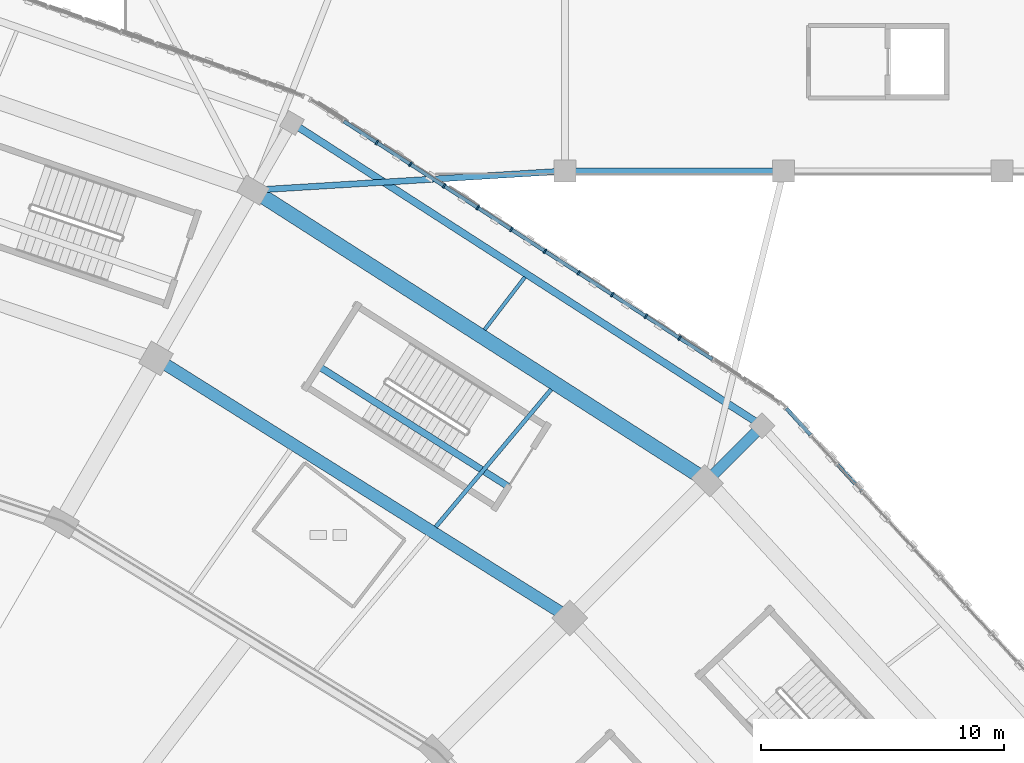
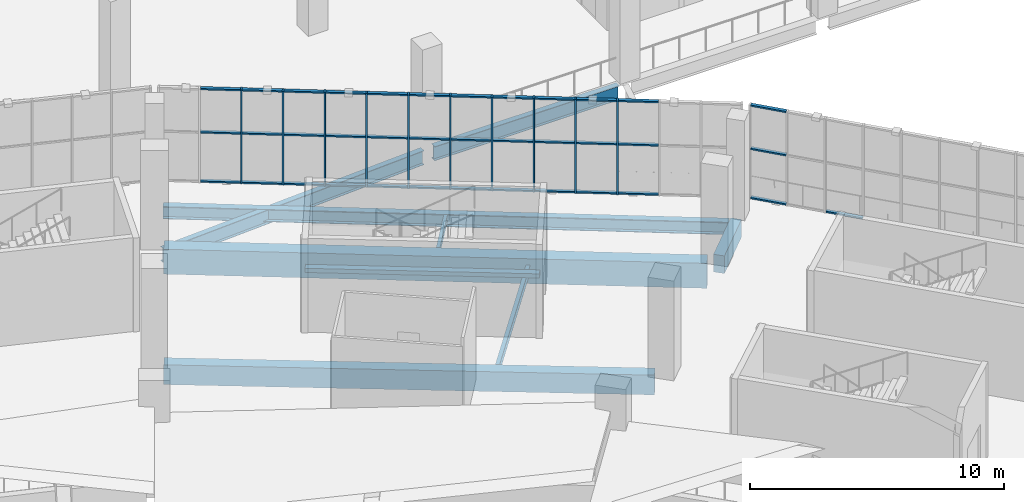
# One storey, part 62 of 183: 47 members, 9 beams, 2 elements without a shape of their own.
"""IFC4 building model written with IfcOpenShell, lengths in metres."""

from ifc_helpers import new_model, si_unit, direction, frame, origin, origin_2d, place, context, subcontext, project, spatial, rectangle, i_section, extrude, material, material_profile, profile_set, type_object, element, aggregate, save


model = new_model("IFC4")

# Units and contexts
model_context = context("Model", 3, precision=1e-05, world=origin(), true_north=direction((0.0, 1.0)))
body_context = subcontext(model_context, "Body", "Model", "MODEL_VIEW")
ifc_project = project(units=[si_unit("LENGTHUNIT", "METRE"), si_unit("AREAUNIT", "SQUARE_METRE"), si_unit("VOLUMEUNIT", "CUBIC_METRE"), si_unit("PLANEANGLEUNIT", "RADIAN"), si_unit("MASSUNIT", "GRAM", prefix="KILO")], contexts=[model_context])

# Site, building, storey
site_placement = place(None, origin())
site = spatial("IfcSite", under=ifc_project, at=site_placement, CompositionType="ELEMENT")
building_placement = place(site_placement, origin())
building = spatial("IfcBuilding", under=site, at=building_placement, Name="Zevraka Park Crest Stadium", CompositionType="ELEMENT")
storey_placement = place(building_placement, frame((0.0, 0.0, 5.39990234375)))
storey = spatial("IfcBuildingStorey", under=building, at=storey_placement, Name="L01", CompositionType="ELEMENT", Elevation=5.39990234375)

# Beams
ifc_material_1 = material(Name="Concrete C40/50", Category="concrete")
ifc_material_profile_1 = material_profile(ifc_material_1, rectangle(XDim=0.449951171875, YDim=0.85009765625, at=origin_2d()), Name="RC 850x450")
ifc_profile_set_1 = profile_set([ifc_material_profile_1], Name="Concrete C40/50")
beam_type_1 = type_object("IfcBeamType", Name="BG03", PredefinedType="BEAM", material=ifc_profile_set_1)
beam_1_placement = place(storey_placement, frame((176.06396484375, 145.45703125, -0.434814453125), z_axis=(0.706965918589, 0.707247615728, 0.0), x_axis=(-0.707247615728, 0.706965918589, 0.0)))
element("IfcBeam", 1, at=beam_1_placement, inside=storey, type_object=beam_type_1, Name="Radial Girder BG03 L01-DE-03", PredefinedType="BEAM", context=body_context, shape_type="SweptSolid", body=[
    extrude(rectangle(XDim=0.449951171875, YDim=0.85009765625, at=origin_2d()), origin(), (0.0, 0.0, 1.0), 2.60009765625),
])
ifc_material_2 = material(Name="Steel S355", Category="steel")
ifc_material_profile_2 = material_profile(ifc_material_2, i_section(OverallWidth=0.253662109375, OverallDepth=0.68359375, WebThickness=0.012451171875, FlangeThickness=0.01904296875, at=origin_2d()), Name="UKB 686x254x140")
ifc_profile_set_2 = profile_set([ifc_material_profile_2], Name="Steel S355")
beam_type_2 = type_object("IfcBeamType", Name="BG05", PredefinedType="BEAM", material=ifc_profile_set_2)
beam_2_placement = place(storey_placement, frame((170.300048828125, 158.0, -0.649658203125), z_axis=(1.0, 0.0, 0.0), x_axis=(0.0, 1.0, 0.0)))
element("IfcBeam", 2, at=beam_2_placement, inside=storey, type_object=beam_type_2, Name="Wing Girder BG05 L01-1920/T", PredefinedType="BEAM", context=body_context, shape_type="SweptSolid", body=[
    extrude(i_section(OverallWidth=0.253662109375, OverallDepth=0.68359375, WebThickness=0.012451171875, FlangeThickness=0.01904296875, at=origin_2d()), origin(), (0.0, 0.0, 1.0), 8.39990234375),
])
beam_3_placement = place(storey_placement, frame((169.800048828125, 157.988037109375, -0.649658203125), z_axis=(-0.998122867072, -0.061243303531, 0.0), x_axis=(0.061243303531, -0.998122867072, 0.0)))
element("IfcBeam", 3, at=beam_3_placement, inside=storey, type_object=beam_type_2, Name="Wing Link Girder BG05 L01-19/T", PredefinedType="BEAM", context=body_context, shape_type="SweptSolid", body=[
    extrude(i_section(OverallWidth=0.253662109375, OverallDepth=0.68359375, WebThickness=0.012451171875, FlangeThickness=0.01904296875, at=origin_2d()), origin(), (0.0, 0.0, 1.0), 12.294189453125),
])

# Curtain wall, members
ifc_material_3 = material(Name="Anodised architectural aluminium and laminated safety glass", Category="aluminium")
curtain_wall_type = type_object("IfcCurtainWallType", Name="CW03", PredefinedType="NOTDEFINED", material=ifc_material_3)
curtain_wall_1_placement = place(storey_placement, origin())
curtain_wall_1 = element("IfcCurtainWall", 4, at=curtain_wall_1_placement, inside=storey, type_object=curtain_wall_type, Name="Unitised Ring Curtain Wall CW03 L01-03", PredefinedType="NOTDEFINED")
ifc_material_4 = material(Name="Anodised architectural aluminium", Category="aluminium")
ifc_material_profile_3 = material_profile(ifc_material_4, rectangle(XDim=0.199951171875, YDim=0.070068359375, at=origin_2d()), Name="ALU MULLION 200x70")
ifc_profile_set_3 = profile_set([ifc_material_profile_3], Name="Anodised architectural aluminium")
member_type_1 = type_object("IfcMemberType", Name="CM03", PredefinedType="MULLION", material=ifc_profile_set_3)
member_1_placement = place(storey_placement, frame((174.716064453125, 151.12109375, 0.0), z_axis=(0.0, 0.0, 1.0), x_axis=(-0.542570628938, -0.840010186018, 0.0)))
member_1 = element("IfcMember", 5, at=member_1_placement, type_object=member_type_1, Name="CW03 mullion 4", PredefinedType="MULLION", context=body_context, shape_type="SweptSolid", body=[
    extrude(rectangle(XDim=0.199951171875, YDim=0.070068359375, at=origin_2d()), origin(), (0.0, 0.0, 1.0), 4.52001953125),
])
member_2_placement = place(storey_placement, frame((173.330322265625, 152.01611328125, 0.0), z_axis=(0.0, 0.0, 1.0), x_axis=(-0.542570628938, -0.840010186018, 0.0)))
member_2 = element("IfcMember", 6, at=member_2_placement, type_object=member_type_1, Name="CW03 mullion 5", PredefinedType="MULLION", context=body_context, shape_type="SweptSolid", body=[
    extrude(rectangle(XDim=0.199951171875, YDim=0.070068359375, at=origin_2d()), origin(), (0.0, 0.0, 1.0), 4.52001953125),
])
member_3_placement = place(storey_placement, frame((171.94482421875, 152.910888671875, 0.0), z_axis=(0.0, 0.0, 1.0), x_axis=(-0.542570628938, -0.840010186018, 0.0)))
member_3 = element("IfcMember", 7, at=member_3_placement, type_object=member_type_1, Name="CW03 mullion 6", PredefinedType="MULLION", context=body_context, shape_type="SweptSolid", body=[
    extrude(rectangle(XDim=0.199951171875, YDim=0.070068359375, at=origin_2d()), origin(), (0.0, 0.0, 1.0), 4.52001953125),
])
member_4_placement = place(storey_placement, frame((170.55908203125, 153.805908203125, 0.0), z_axis=(0.0, 0.0, 1.0), x_axis=(-0.542570628938, -0.840010186018, 0.0)))
member_4 = element("IfcMember", 8, at=member_4_placement, type_object=member_type_1, Name="CW03 mullion 7", PredefinedType="MULLION", context=body_context, shape_type="SweptSolid", body=[
    extrude(rectangle(XDim=0.199951171875, YDim=0.070068359375, at=origin_2d()), origin(), (0.0, 0.0, 1.0), 4.52001953125),
])
member_5_placement = place(storey_placement, frame((169.173583984375, 154.700927734375, 0.0), z_axis=(0.0, 0.0, 1.0), x_axis=(-0.542570628938, -0.840010186018, 0.0)))
member_5 = element("IfcMember", 9, at=member_5_placement, type_object=member_type_1, Name="CW03 mullion 8", PredefinedType="MULLION", context=body_context, shape_type="SweptSolid", body=[
    extrude(rectangle(XDim=0.199951171875, YDim=0.070068359375, at=origin_2d()), origin(), (0.0, 0.0, 1.0), 4.52001953125),
])
member_6_placement = place(storey_placement, frame((167.787841796875, 155.595947265625, 0.0), z_axis=(0.0, 0.0, 1.0), x_axis=(-0.542570628938, -0.840010186018, 0.0)))
member_6 = element("IfcMember", 10, at=member_6_placement, type_object=member_type_1, Name="CW03 mullion 9", PredefinedType="MULLION", context=body_context, shape_type="SweptSolid", body=[
    extrude(rectangle(XDim=0.199951171875, YDim=0.070068359375, at=origin_2d()), origin(), (0.0, 0.0, 1.0), 4.52001953125),
])
member_7_placement = place(storey_placement, frame((166.402099609375, 156.490966796875, 0.0), z_axis=(0.0, 0.0, 1.0), x_axis=(-0.542570628938, -0.840010186018, 0.0)))
member_7 = element("IfcMember", 11, at=member_7_placement, type_object=member_type_1, Name="CW03 mullion 10", PredefinedType="MULLION", context=body_context, shape_type="SweptSolid", body=[
    extrude(rectangle(XDim=0.199951171875, YDim=0.070068359375, at=origin_2d()), origin(), (0.0, 0.0, 1.0), 4.52001953125),
])
member_8_placement = place(storey_placement, frame((165.0166015625, 157.385986328125, 0.0), z_axis=(0.0, 0.0, 1.0), x_axis=(-0.542570628938, -0.840010186018, 0.0)))
member_8 = element("IfcMember", 12, at=member_8_placement, type_object=member_type_1, Name="CW03 mullion 11", PredefinedType="MULLION", context=body_context, shape_type="SweptSolid", body=[
    extrude(rectangle(XDim=0.199951171875, YDim=0.070068359375, at=origin_2d()), origin(), (0.0, 0.0, 1.0), 4.52001953125),
])
member_9_placement = place(storey_placement, frame((163.630859375, 158.281005859375, 0.0), z_axis=(0.0, 0.0, 1.0), x_axis=(-0.542570628938, -0.840010186018, 0.0)))
member_9 = element("IfcMember", 13, at=member_9_placement, type_object=member_type_1, Name="CW03 mullion 12", PredefinedType="MULLION", context=body_context, shape_type="SweptSolid", body=[
    extrude(rectangle(XDim=0.199951171875, YDim=0.070068359375, at=origin_2d()), origin(), (0.0, 0.0, 1.0), 4.52001953125),
])
member_10_placement = place(storey_placement, frame((162.245361328125, 159.176025390625, 0.0), z_axis=(0.0, 0.0, 1.0), x_axis=(-0.542570628938, -0.840010186018, 0.0)))
member_10 = element("IfcMember", 14, at=member_10_placement, type_object=member_type_1, Name="CW03 mullion 13", PredefinedType="MULLION", context=body_context, shape_type="SweptSolid", body=[
    extrude(rectangle(XDim=0.199951171875, YDim=0.070068359375, at=origin_2d()), origin(), (0.0, 0.0, 1.0), 4.52001953125),
])

curtain_wall_2_placement = place(storey_placement, origin())
curtain_wall_2 = element("IfcCurtainWall", 15, at=curtain_wall_2_placement, inside=storey, type_object=curtain_wall_type, Name="Unitised Ring Curtain Wall CW03 L01-02", PredefinedType="NOTDEFINED")
ifc_material_5 = material(Name="Anodised architectural aluminium", Category="aluminium")
ifc_material_profile_4 = material_profile(ifc_material_5, rectangle(XDim=0.14990234375, YDim=0.070068359375, at=origin_2d()), Name="ALU TRANSOM 150x70")
ifc_profile_set_4 = profile_set([ifc_material_profile_4], Name="Anodised architectural aluminium")
member_type_2 = type_object("IfcMemberType", Name="CT03", PredefinedType="USERDEFINED", material=ifc_profile_set_4)
member_11_placement = place(storey_placement, frame((182.2333984375, 144.798828125, 0.03515625), z_axis=(-0.673800680351, 0.738913149943, 0.0), x_axis=(-0.738913149943, -0.673800680351, 0.0)))
member_11 = element("IfcMember", 16, at=member_11_placement, type_object=member_type_2, Name="CW03 transom 12.1", ObjectType="TRANSOM", PredefinedType="USERDEFINED", context=body_context, shape_type="SweptSolid", body=[
    extrude(rectangle(XDim=0.14990234375, YDim=0.070068359375, at=origin_2d()), origin(), (0.0, 0.0, 1.0), 1.50732421875),
])
member_12_placement = place(storey_placement, frame((180.108154296875, 147.130126953125, 0.03515625), z_axis=(-0.673687280194, 0.739016541429, 0.0), x_axis=(-0.739016541429, -0.673687280194, 0.0)))
member_12 = element("IfcMember", 17, at=member_12_placement, type_object=member_type_2, Name="CW03 transom 14.1", ObjectType="TRANSOM", PredefinedType="USERDEFINED", context=body_context, shape_type="SweptSolid", body=[
    extrude(rectangle(XDim=0.14990234375, YDim=0.070068359375, at=origin_2d()), origin(), (0.0, 0.0, 1.0), 1.472412109375),
])
member_13_placement = place(storey_placement, frame((180.108154296875, 147.130126953125, 2.400146484375), z_axis=(-0.673687280194, 0.739016541429, 0.0), x_axis=(-0.739016541429, -0.673687280194, 0.0)))
member_13 = element("IfcMember", 18, at=member_13_placement, type_object=member_type_2, Name="CW03 transom 14.2", ObjectType="TRANSOM", PredefinedType="USERDEFINED", context=body_context, shape_type="SweptSolid", body=[
    extrude(rectangle(XDim=0.14990234375, YDim=0.070068359375, at=origin_2d()), origin(), (0.0, 0.0, 1.0), 1.472412109375),
])
member_14_placement = place(storey_placement, frame((180.108154296875, 147.130126953125, 4.485107421875), z_axis=(-0.673687280194, 0.739016541429, 0.0), x_axis=(-0.739016541429, -0.673687280194, 0.0)))
member_14 = element("IfcMember", 19, at=member_14_placement, type_object=member_type_2, Name="CW03 transom 14.3", ObjectType="TRANSOM", PredefinedType="USERDEFINED", context=body_context, shape_type="SweptSolid", body=[
    extrude(rectangle(XDim=0.14990234375, YDim=0.070068359375, at=origin_2d()), origin(), (0.0, 0.0, 1.0), 1.472412109375),
])
aggregate(curtain_wall_2, [member_11, member_12, member_13, member_14])

# Member
member_15_placement = place(storey_placement, frame((176.072265625, 150.244873046875, 0.03515625), z_axis=(-0.839976274256, 0.542623127675, 0.0), x_axis=(-0.542623127675, -0.839976274256, 0.0)))
member_15 = element("IfcMember", 20, at=member_15_placement, type_object=member_type_2, Name="CW03 transom 3.1", ObjectType="TRANSOM", PredefinedType="USERDEFINED", context=body_context, shape_type="SweptSolid", body=[
    extrude(rectangle(XDim=0.14990234375, YDim=0.070068359375, at=origin_2d()), origin(), (0.0, 0.0, 1.0), 1.57958984375),
])

member_16_placement = place(storey_placement, frame((176.072265625, 150.244873046875, 2.400146484375), z_axis=(-0.839976274256, 0.542623127675, 0.0), x_axis=(-0.542623127675, -0.839976274256, 0.0)))
member_16 = element("IfcMember", 21, at=member_16_placement, type_object=member_type_2, Name="CW03 transom 3.2", ObjectType="TRANSOM", PredefinedType="USERDEFINED", context=body_context, shape_type="SweptSolid", body=[
    extrude(rectangle(XDim=0.14990234375, YDim=0.070068359375, at=origin_2d()), origin(), (0.0, 0.0, 1.0), 1.57958984375),
])

member_17_placement = place(storey_placement, frame((176.072265625, 150.244873046875, 4.485107421875), z_axis=(-0.839976274256, 0.542623127675, 0.0), x_axis=(-0.542623127675, -0.839976274256, 0.0)))
member_17 = element("IfcMember", 22, at=member_17_placement, type_object=member_type_2, Name="CW03 transom 3.3", ObjectType="TRANSOM", PredefinedType="USERDEFINED", context=body_context, shape_type="SweptSolid", body=[
    extrude(rectangle(XDim=0.14990234375, YDim=0.070068359375, at=origin_2d()), origin(), (0.0, 0.0, 1.0), 1.57958984375),
])

member_18_placement = place(storey_placement, frame((174.686767578125, 151.139892578125, 0.03515625), z_axis=(-0.839976274256, 0.542623127675, 0.0), x_axis=(-0.542623127675, -0.839976274256, 0.0)))
member_18 = element("IfcMember", 23, at=member_18_placement, type_object=member_type_2, Name="CW03 transom 4.1", ObjectType="TRANSOM", PredefinedType="USERDEFINED", context=body_context, shape_type="SweptSolid", body=[
    extrude(rectangle(XDim=0.14990234375, YDim=0.070068359375, at=origin_2d()), origin(), (0.0, 0.0, 1.0), 1.57958984375),
])

member_19_placement = place(storey_placement, frame((174.686767578125, 151.139892578125, 2.400146484375), z_axis=(-0.839976274256, 0.542623127675, 0.0), x_axis=(-0.542623127675, -0.839976274256, 0.0)))
member_19 = element("IfcMember", 24, at=member_19_placement, type_object=member_type_2, Name="CW03 transom 4.2", ObjectType="TRANSOM", PredefinedType="USERDEFINED", context=body_context, shape_type="SweptSolid", body=[
    extrude(rectangle(XDim=0.14990234375, YDim=0.070068359375, at=origin_2d()), origin(), (0.0, 0.0, 1.0), 1.57958984375),
])

member_20_placement = place(storey_placement, frame((174.686767578125, 151.139892578125, 4.485107421875), z_axis=(-0.839976274256, 0.542623127675, 0.0), x_axis=(-0.542623127675, -0.839976274256, 0.0)))
member_20 = element("IfcMember", 25, at=member_20_placement, type_object=member_type_2, Name="CW03 transom 4.3", ObjectType="TRANSOM", PredefinedType="USERDEFINED", context=body_context, shape_type="SweptSolid", body=[
    extrude(rectangle(XDim=0.14990234375, YDim=0.070068359375, at=origin_2d()), origin(), (0.0, 0.0, 1.0), 1.57958984375),
])

member_21_placement = place(storey_placement, frame((173.301025390625, 152.034912109375, 0.03515625), z_axis=(-0.839976274256, 0.542623127675, 0.0), x_axis=(-0.542623127675, -0.839976274256, 0.0)))
member_21 = element("IfcMember", 26, at=member_21_placement, type_object=member_type_2, Name="CW03 transom 5.1", ObjectType="TRANSOM", PredefinedType="USERDEFINED", context=body_context, shape_type="SweptSolid", body=[
    extrude(rectangle(XDim=0.14990234375, YDim=0.070068359375, at=origin_2d()), origin(), (0.0, 0.0, 1.0), 1.57958984375),
])

member_22_placement = place(storey_placement, frame((173.301025390625, 152.034912109375, 2.400146484375), z_axis=(-0.839976274256, 0.542623127675, 0.0), x_axis=(-0.542623127675, -0.839976274256, 0.0)))
member_22 = element("IfcMember", 27, at=member_22_placement, type_object=member_type_2, Name="CW03 transom 5.2", ObjectType="TRANSOM", PredefinedType="USERDEFINED", context=body_context, shape_type="SweptSolid", body=[
    extrude(rectangle(XDim=0.14990234375, YDim=0.070068359375, at=origin_2d()), origin(), (0.0, 0.0, 1.0), 1.57958984375),
])

member_23_placement = place(storey_placement, frame((173.301025390625, 152.034912109375, 4.485107421875), z_axis=(-0.839976274256, 0.542623127675, 0.0), x_axis=(-0.542623127675, -0.839976274256, 0.0)))
member_23 = element("IfcMember", 28, at=member_23_placement, type_object=member_type_2, Name="CW03 transom 5.3", ObjectType="TRANSOM", PredefinedType="USERDEFINED", context=body_context, shape_type="SweptSolid", body=[
    extrude(rectangle(XDim=0.14990234375, YDim=0.070068359375, at=origin_2d()), origin(), (0.0, 0.0, 1.0), 1.57958984375),
])

member_24_placement = place(storey_placement, frame((171.915283203125, 152.929931640625, 0.03515625), z_axis=(-0.839930759874, 0.542693577092, 0.0), x_axis=(-0.542693577092, -0.839930759874, 0.0)))
member_24 = element("IfcMember", 29, at=member_24_placement, type_object=member_type_2, Name="CW03 transom 6.1", ObjectType="TRANSOM", PredefinedType="USERDEFINED", context=body_context, shape_type="SweptSolid", body=[
    extrude(rectangle(XDim=0.14990234375, YDim=0.070068359375, at=origin_2d()), origin(), (0.0, 0.0, 1.0), 1.57958984375),
])

member_25_placement = place(storey_placement, frame((171.915283203125, 152.929931640625, 2.400146484375), z_axis=(-0.839930759874, 0.542693577092, 0.0), x_axis=(-0.542693577092, -0.839930759874, 0.0)))
member_25 = element("IfcMember", 30, at=member_25_placement, type_object=member_type_2, Name="CW03 transom 6.2", ObjectType="TRANSOM", PredefinedType="USERDEFINED", context=body_context, shape_type="SweptSolid", body=[
    extrude(rectangle(XDim=0.14990234375, YDim=0.070068359375, at=origin_2d()), origin(), (0.0, 0.0, 1.0), 1.57958984375),
])

member_26_placement = place(storey_placement, frame((171.915283203125, 152.929931640625, 4.485107421875), z_axis=(-0.839930759874, 0.542693577092, 0.0), x_axis=(-0.542693577092, -0.839930759874, 0.0)))
member_26 = element("IfcMember", 31, at=member_26_placement, type_object=member_type_2, Name="CW03 transom 6.3", ObjectType="TRANSOM", PredefinedType="USERDEFINED", context=body_context, shape_type="SweptSolid", body=[
    extrude(rectangle(XDim=0.14990234375, YDim=0.070068359375, at=origin_2d()), origin(), (0.0, 0.0, 1.0), 1.57958984375),
])

member_27_placement = place(storey_placement, frame((170.52978515625, 153.824951171875, 0.03515625), z_axis=(-0.839976274256, 0.542623127675, 0.0), x_axis=(-0.542623127675, -0.839976274256, 0.0)))
member_27 = element("IfcMember", 32, at=member_27_placement, type_object=member_type_2, Name="CW03 transom 7.1", ObjectType="TRANSOM", PredefinedType="USERDEFINED", context=body_context, shape_type="SweptSolid", body=[
    extrude(rectangle(XDim=0.14990234375, YDim=0.070068359375, at=origin_2d()), origin(), (0.0, 0.0, 1.0), 1.57958984375),
])

member_28_placement = place(storey_placement, frame((170.52978515625, 153.824951171875, 2.400146484375), z_axis=(-0.839976274256, 0.542623127675, 0.0), x_axis=(-0.542623127675, -0.839976274256, 0.0)))
member_28 = element("IfcMember", 33, at=member_28_placement, type_object=member_type_2, Name="CW03 transom 7.2", ObjectType="TRANSOM", PredefinedType="USERDEFINED", context=body_context, shape_type="SweptSolid", body=[
    extrude(rectangle(XDim=0.14990234375, YDim=0.070068359375, at=origin_2d()), origin(), (0.0, 0.0, 1.0), 1.57958984375),
])

member_29_placement = place(storey_placement, frame((170.52978515625, 153.824951171875, 4.485107421875), z_axis=(-0.839976274256, 0.542623127675, 0.0), x_axis=(-0.542623127675, -0.839976274256, 0.0)))
member_29 = element("IfcMember", 34, at=member_29_placement, type_object=member_type_2, Name="CW03 transom 7.3", ObjectType="TRANSOM", PredefinedType="USERDEFINED", context=body_context, shape_type="SweptSolid", body=[
    extrude(rectangle(XDim=0.14990234375, YDim=0.070068359375, at=origin_2d()), origin(), (0.0, 0.0, 1.0), 1.57958984375),
])

member_30_placement = place(storey_placement, frame((169.14404296875, 154.719970703125, 0.03515625), z_axis=(-0.840046715264, 0.542514070024, 0.0), x_axis=(-0.542514070024, -0.840046715264, 0.0)))
member_30 = element("IfcMember", 35, at=member_30_placement, type_object=member_type_2, Name="CW03 transom 8.1", ObjectType="TRANSOM", PredefinedType="USERDEFINED", context=body_context, shape_type="SweptSolid", body=[
    extrude(rectangle(XDim=0.14990234375, YDim=0.070068359375, at=origin_2d()), origin(), (0.0, 0.0, 1.0), 1.57958984375),
])

member_31_placement = place(storey_placement, frame((169.14404296875, 154.719970703125, 2.400146484375), z_axis=(-0.840046715264, 0.542514070024, 0.0), x_axis=(-0.542514070024, -0.840046715264, 0.0)))
member_31 = element("IfcMember", 36, at=member_31_placement, type_object=member_type_2, Name="CW03 transom 8.2", ObjectType="TRANSOM", PredefinedType="USERDEFINED", context=body_context, shape_type="SweptSolid", body=[
    extrude(rectangle(XDim=0.14990234375, YDim=0.070068359375, at=origin_2d()), origin(), (0.0, 0.0, 1.0), 1.57958984375),
])

member_32_placement = place(storey_placement, frame((169.14404296875, 154.719970703125, 4.485107421875), z_axis=(-0.840046715264, 0.542514070024, 0.0), x_axis=(-0.542514070024, -0.840046715264, 0.0)))
member_32 = element("IfcMember", 37, at=member_32_placement, type_object=member_type_2, Name="CW03 transom 8.3", ObjectType="TRANSOM", PredefinedType="USERDEFINED", context=body_context, shape_type="SweptSolid", body=[
    extrude(rectangle(XDim=0.14990234375, YDim=0.070068359375, at=origin_2d()), origin(), (0.0, 0.0, 1.0), 1.57958984375),
])

member_33_placement = place(storey_placement, frame((167.758544921875, 155.614990234375, 0.03515625), z_axis=(-0.840046715264, 0.542514070024, 0.0), x_axis=(-0.542514070024, -0.840046715264, 0.0)))
member_33 = element("IfcMember", 38, at=member_33_placement, type_object=member_type_2, Name="CW03 transom 9.1", ObjectType="TRANSOM", PredefinedType="USERDEFINED", context=body_context, shape_type="SweptSolid", body=[
    extrude(rectangle(XDim=0.14990234375, YDim=0.070068359375, at=origin_2d()), origin(), (0.0, 0.0, 1.0), 1.57958984375),
])

member_34_placement = place(storey_placement, frame((167.758544921875, 155.614990234375, 2.400146484375), z_axis=(-0.840046715264, 0.542514070024, 0.0), x_axis=(-0.542514070024, -0.840046715264, 0.0)))
member_34 = element("IfcMember", 39, at=member_34_placement, type_object=member_type_2, Name="CW03 transom 9.2", ObjectType="TRANSOM", PredefinedType="USERDEFINED", context=body_context, shape_type="SweptSolid", body=[
    extrude(rectangle(XDim=0.14990234375, YDim=0.070068359375, at=origin_2d()), origin(), (0.0, 0.0, 1.0), 1.57958984375),
])

member_35_placement = place(storey_placement, frame((167.758544921875, 155.614990234375, 4.485107421875), z_axis=(-0.840046715264, 0.542514070024, 0.0), x_axis=(-0.542514070024, -0.840046715264, 0.0)))
member_35 = element("IfcMember", 40, at=member_35_placement, type_object=member_type_2, Name="CW03 transom 9.3", ObjectType="TRANSOM", PredefinedType="USERDEFINED", context=body_context, shape_type="SweptSolid", body=[
    extrude(rectangle(XDim=0.14990234375, YDim=0.070068359375, at=origin_2d()), origin(), (0.0, 0.0, 1.0), 1.57958984375),
])

member_36_placement = place(storey_placement, frame((166.372802734375, 156.510009765625, 0.03515625), z_axis=(-0.840046715264, 0.542514070024, 0.0), x_axis=(-0.542514070024, -0.840046715264, 0.0)))
member_36 = element("IfcMember", 41, at=member_36_placement, type_object=member_type_2, Name="CW03 transom 10.1", ObjectType="TRANSOM", PredefinedType="USERDEFINED", context=body_context, shape_type="SweptSolid", body=[
    extrude(rectangle(XDim=0.14990234375, YDim=0.070068359375, at=origin_2d()), origin(), (0.0, 0.0, 1.0), 1.57958984375),
])

member_37_placement = place(storey_placement, frame((166.372802734375, 156.510009765625, 2.400146484375), z_axis=(-0.840046715264, 0.542514070024, 0.0), x_axis=(-0.542514070024, -0.840046715264, 0.0)))
member_37 = element("IfcMember", 42, at=member_37_placement, type_object=member_type_2, Name="CW03 transom 10.2", ObjectType="TRANSOM", PredefinedType="USERDEFINED", context=body_context, shape_type="SweptSolid", body=[
    extrude(rectangle(XDim=0.14990234375, YDim=0.070068359375, at=origin_2d()), origin(), (0.0, 0.0, 1.0), 1.57958984375),
])

member_38_placement = place(storey_placement, frame((166.372802734375, 156.510009765625, 4.485107421875), z_axis=(-0.840046715264, 0.542514070024, 0.0), x_axis=(-0.542514070024, -0.840046715264, 0.0)))
member_38 = element("IfcMember", 43, at=member_38_placement, type_object=member_type_2, Name="CW03 transom 10.3", ObjectType="TRANSOM", PredefinedType="USERDEFINED", context=body_context, shape_type="SweptSolid", body=[
    extrude(rectangle(XDim=0.14990234375, YDim=0.070068359375, at=origin_2d()), origin(), (0.0, 0.0, 1.0), 1.57958984375),
])

member_39_placement = place(storey_placement, frame((164.987060546875, 157.405029296875, 0.03515625), z_axis=(-0.840001215359, 0.542584517098, 0.0), x_axis=(-0.542584517098, -0.840001215359, 0.0)))
member_39 = element("IfcMember", 44, at=member_39_placement, type_object=member_type_2, Name="CW03 transom 11.1", ObjectType="TRANSOM", PredefinedType="USERDEFINED", context=body_context, shape_type="SweptSolid", body=[
    extrude(rectangle(XDim=0.14990234375, YDim=0.070068359375, at=origin_2d()), origin(), (0.0, 0.0, 1.0), 1.579345703125),
])

member_40_placement = place(storey_placement, frame((164.987060546875, 157.405029296875, 2.400146484375), z_axis=(-0.840001215359, 0.542584517098, 0.0), x_axis=(-0.542584517098, -0.840001215359, 0.0)))
member_40 = element("IfcMember", 45, at=member_40_placement, type_object=member_type_2, Name="CW03 transom 11.2", ObjectType="TRANSOM", PredefinedType="USERDEFINED", context=body_context, shape_type="SweptSolid", body=[
    extrude(rectangle(XDim=0.14990234375, YDim=0.070068359375, at=origin_2d()), origin(), (0.0, 0.0, 1.0), 1.579345703125),
])

member_41_placement = place(storey_placement, frame((164.987060546875, 157.405029296875, 4.485107421875), z_axis=(-0.840001215359, 0.542584517098, 0.0), x_axis=(-0.542584517098, -0.840001215359, 0.0)))
member_41 = element("IfcMember", 46, at=member_41_placement, type_object=member_type_2, Name="CW03 transom 11.3", ObjectType="TRANSOM", PredefinedType="USERDEFINED", context=body_context, shape_type="SweptSolid", body=[
    extrude(rectangle(XDim=0.14990234375, YDim=0.070068359375, at=origin_2d()), origin(), (0.0, 0.0, 1.0), 1.579345703125),
])

member_42_placement = place(storey_placement, frame((163.6015625, 158.300048828125, 0.03515625), z_axis=(-0.840046715264, 0.542514070024, 0.0), x_axis=(-0.542514070024, -0.840046715264, 0.0)))
member_42 = element("IfcMember", 47, at=member_42_placement, type_object=member_type_2, Name="CW03 transom 12.1", ObjectType="TRANSOM", PredefinedType="USERDEFINED", context=body_context, shape_type="SweptSolid", body=[
    extrude(rectangle(XDim=0.14990234375, YDim=0.070068359375, at=origin_2d()), origin(), (0.0, 0.0, 1.0), 1.57958984375),
])

member_43_placement = place(storey_placement, frame((163.6015625, 158.300048828125, 2.400146484375), z_axis=(-0.840046715264, 0.542514070024, 0.0), x_axis=(-0.542514070024, -0.840046715264, 0.0)))
member_43 = element("IfcMember", 48, at=member_43_placement, type_object=member_type_2, Name="CW03 transom 12.2", ObjectType="TRANSOM", PredefinedType="USERDEFINED", context=body_context, shape_type="SweptSolid", body=[
    extrude(rectangle(XDim=0.14990234375, YDim=0.070068359375, at=origin_2d()), origin(), (0.0, 0.0, 1.0), 1.57958984375),
])

member_44_placement = place(storey_placement, frame((163.6015625, 158.300048828125, 4.485107421875), z_axis=(-0.840046715264, 0.542514070024, 0.0), x_axis=(-0.542514070024, -0.840046715264, 0.0)))
member_44 = element("IfcMember", 49, at=member_44_placement, type_object=member_type_2, Name="CW03 transom 12.3", ObjectType="TRANSOM", PredefinedType="USERDEFINED", context=body_context, shape_type="SweptSolid", body=[
    extrude(rectangle(XDim=0.14990234375, YDim=0.070068359375, at=origin_2d()), origin(), (0.0, 0.0, 1.0), 1.57958984375),
])

member_45_placement = place(storey_placement, frame((162.2158203125, 159.195068359375, 0.03515625), z_axis=(-0.840001215359, 0.542584517098, 0.0), x_axis=(-0.542584517098, -0.840001215359, 0.0)))
member_45 = element("IfcMember", 50, at=member_45_placement, type_object=member_type_2, Name="CW03 transom 13.1", ObjectType="TRANSOM", PredefinedType="USERDEFINED", context=body_context, shape_type="SweptSolid", body=[
    extrude(rectangle(XDim=0.14990234375, YDim=0.070068359375, at=origin_2d()), origin(), (0.0, 0.0, 1.0), 1.579345703125),
])

member_46_placement = place(storey_placement, frame((162.2158203125, 159.195068359375, 2.400146484375), z_axis=(-0.840001215359, 0.542584517098, 0.0), x_axis=(-0.542584517098, -0.840001215359, 0.0)))
member_46 = element("IfcMember", 51, at=member_46_placement, type_object=member_type_2, Name="CW03 transom 13.2", ObjectType="TRANSOM", PredefinedType="USERDEFINED", context=body_context, shape_type="SweptSolid", body=[
    extrude(rectangle(XDim=0.14990234375, YDim=0.070068359375, at=origin_2d()), origin(), (0.0, 0.0, 1.0), 1.579345703125),
])

member_47_placement = place(storey_placement, frame((162.2158203125, 159.195068359375, 4.485107421875), z_axis=(-0.840001215359, 0.542584517098, 0.0), x_axis=(-0.542584517098, -0.840001215359, 0.0)))
member_47 = element("IfcMember", 52, at=member_47_placement, type_object=member_type_2, Name="CW03 transom 13.3", ObjectType="TRANSOM", PredefinedType="USERDEFINED", context=body_context, shape_type="SweptSolid", body=[
    extrude(rectangle(XDim=0.14990234375, YDim=0.070068359375, at=origin_2d()), origin(), (0.0, 0.0, 1.0), 1.579345703125),
])

aggregate(curtain_wall_1, [member_1, member_2, member_3, member_4, member_5, member_6, member_7, member_8, member_9, member_10, member_15, member_16, member_17, member_18, member_19, member_20, member_21, member_22, member_23, member_24, member_25, member_26, member_27, member_28, member_29, member_30, member_31, member_32, member_33, member_34, member_35, member_36, member_37, member_38, member_39, member_40, member_41, member_42, member_43, member_44, member_45, member_46, member_47])

# Beams
ifc_material_6 = material(Name="Concrete C40/50", Category="concrete")
ifc_material_profile_5 = material_profile(ifc_material_6, rectangle(XDim=0.60009765625, YDim=1.199951171875, at=origin_2d()), Name="RC 1200x600")
ifc_profile_set_5 = profile_set([ifc_material_profile_5], Name="Concrete C40/50")
beam_type_3 = type_object("IfcBeamType", Name="RB01", PredefinedType="BEAM", material=ifc_profile_set_5)
beam_4_placement = place(storey_placement, frame((175.531982421875, 145.449951171875, -0.60986328125), z_axis=(-0.842325571453, 0.538969045193, 0.0), x_axis=(-0.538969045193, -0.842325571453, 0.0)))
element("IfcBeam", 53, at=beam_4_placement, inside=storey, type_object=beam_type_3, Name="Ring Beam RB01 L01-D-03", PredefinedType="BEAM", context=body_context, shape_type="SweptSolid", body=[
    extrude(rectangle(XDim=0.60009765625, YDim=1.199951171875, at=origin_2d()), origin(), (0.0, 0.0, 1.0), 21.443115234375),
])
ifc_material_7 = material(Name="Concrete C40/50", Category="concrete")
ifc_material_profile_6 = material_profile(ifc_material_7, rectangle(XDim=0.5, YDim=0.949951171875, at=origin_2d()), Name="RC 950x500")
ifc_profile_set_6 = profile_set([ifc_material_profile_6], Name="Concrete C40/50")
beam_type_4 = type_object("IfcBeamType", Name="RB02", PredefinedType="BEAM", material=ifc_profile_set_6)
beam_5_placement = place(storey_placement, frame((169.873046875, 139.7900390625, -0.48486328125), z_axis=(-0.847038516183, 0.531531515625, 0.0), x_axis=(-0.531531515625, -0.847038516183, 0.0)))
element("IfcBeam", 54, at=beam_5_placement, inside=storey, type_object=beam_type_4, Name="Ring Beam RB02 L01-C-03", PredefinedType="BEAM", context=body_context, shape_type="SweptSolid", body=[
    extrude(rectangle(XDim=0.5, YDim=0.949951171875, at=origin_2d()), origin(), (0.0, 0.0, 1.0), 19.36279296875),
])
ifc_material_8 = material(Name="Steel S355", Category="steel")
ifc_material_profile_7 = material_profile(ifc_material_8, i_section(OverallWidth=0.300048828125, OverallDepth=0.60009765625, WebThickness=0.015380859375, FlangeThickness=0.030029296875, at=origin_2d()), Name="HEB 600")
ifc_profile_set_7 = profile_set([ifc_material_profile_7], Name="Steel S355")
beam_type_5 = type_object("IfcBeamType", Name="RB03", PredefinedType="BEAM", material=ifc_profile_set_7)
beam_6_placement = place(storey_placement, frame((177.820068359375, 147.697998046875, -0.60498046875), z_axis=(-0.840676981124, 0.541536899396, 0.0), x_axis=(-0.541536899396, -0.840676981124, 0.0)))
element("IfcBeam", 55, at=beam_6_placement, inside=storey, type_object=beam_type_5, Name="Ring Beam RB03 L01-E-03", PredefinedType="BEAM", context=body_context, shape_type="SweptSolid", body=[
    extrude(i_section(OverallWidth=0.300048828125, OverallDepth=0.60009765625, WebThickness=0.015380859375, FlangeThickness=0.030029296875, at=origin_2d()), origin(), (0.0, 0.0, 1.0), 22.33447265625),
])
ifc_material_9 = material(Name="Steel S355", Category="steel")
ifc_material_profile_8 = material_profile(ifc_material_9, i_section(OverallWidth=0.14990234375, OverallDepth=0.300048828125, WebThickness=0.007080078125, FlangeThickness=0.0107421875, at=origin_2d()), Name="IPE 300")
ifc_profile_set_8 = profile_set([ifc_material_profile_8], Name="Steel S355")
beam_type_6 = type_object("IfcBeamType", Name="SJ01", PredefinedType="JOIST", material=ifc_profile_set_8)
beam_7_placement = place(storey_placement, frame((166.680908203125, 151.462890625, -0.4580078125), z_axis=(0.608829249804, 0.793301294959, 0.0), x_axis=(-0.793301294959, 0.608829249804, 0.0)))
element("IfcBeam", 56, at=beam_7_placement, inside=storey, type_object=beam_type_6, Name="Floor Joist SJ01 L01-DE-03-1", PredefinedType="JOIST", context=body_context, shape_type="SweptSolid", body=[
    extrude(i_section(OverallWidth=0.14990234375, OverallDepth=0.300048828125, WebThickness=0.007080078125, FlangeThickness=0.0107421875, at=origin_2d()), origin(), (0.0, 0.0, 1.0), 2.731689453125),
])
ifc_material_10 = material(Name="Steel S355", Category="steel")
ifc_material_profile_9 = material_profile(ifc_material_10, i_section(OverallWidth=0.169921875, OverallDepth=0.360107421875, WebThickness=0.008056640625, FlangeThickness=0.0126953125, at=origin_2d()), Name="IPE 360")
ifc_profile_set_9 = profile_set([ifc_material_profile_9], Name="Steel S355")
beam_type_7 = type_object("IfcBeamType", Name="SJ02", PredefinedType="JOIST", material=ifc_profile_set_9)
beam_8_placement = place(storey_placement, frame((164.6708984375, 143.341064453125, -0.48779296875), z_axis=(0.642939005042, 0.765917381834, 0.0), x_axis=(-0.765917381834, 0.642939005042, 0.0)))
element("IfcBeam", 57, at=beam_8_placement, inside=storey, type_object=beam_type_7, Name="Floor Joist SJ02 L01-CD-03-1", PredefinedType="JOIST", context=body_context, shape_type="SweptSolid", body=[
    extrude(i_section(OverallWidth=0.169921875, OverallDepth=0.360107421875, WebThickness=0.008056640625, FlangeThickness=0.0126953125, at=origin_2d()), origin(), (0.0, 0.0, 1.0), 7.39892578125),
])
ifc_material_11 = material(Name="Concrete C40/50", Category="concrete")
ifc_material_profile_10 = material_profile(ifc_material_11, rectangle(XDim=0.280029296875, YDim=0.199951171875, at=origin_2d()), Name="RC 200x280")
ifc_profile_set_10 = profile_set([ifc_material_profile_10], Name="Concrete C40/50")
beam_type_8 = type_object("IfcBeamType", Name="SJ13", PredefinedType="JOIST", material=ifc_profile_set_10)
beam_9_placement = place(storey_placement, frame((167.648193359375, 145.012451171875, 2.300048828125), z_axis=(-0.844396466688, 0.53571877608, 0.0), x_axis=(-0.53571877608, -0.844396466688, 0.0)))
element("IfcBeam", 58, at=beam_9_placement, inside=storey, type_object=beam_type_8, Name="Stair Upper-Flight Longitudinal Stringer SJ13 ST04-L01", PredefinedType="JOIST", context=body_context, shape_type="SweptSolid", body=[
    extrude(rectangle(XDim=0.280029296875, YDim=0.199951171875, at=origin_2d()), origin(), (0.0, 0.0, 1.0), 9.249755859375),
])

save(model, "model.ifc")
